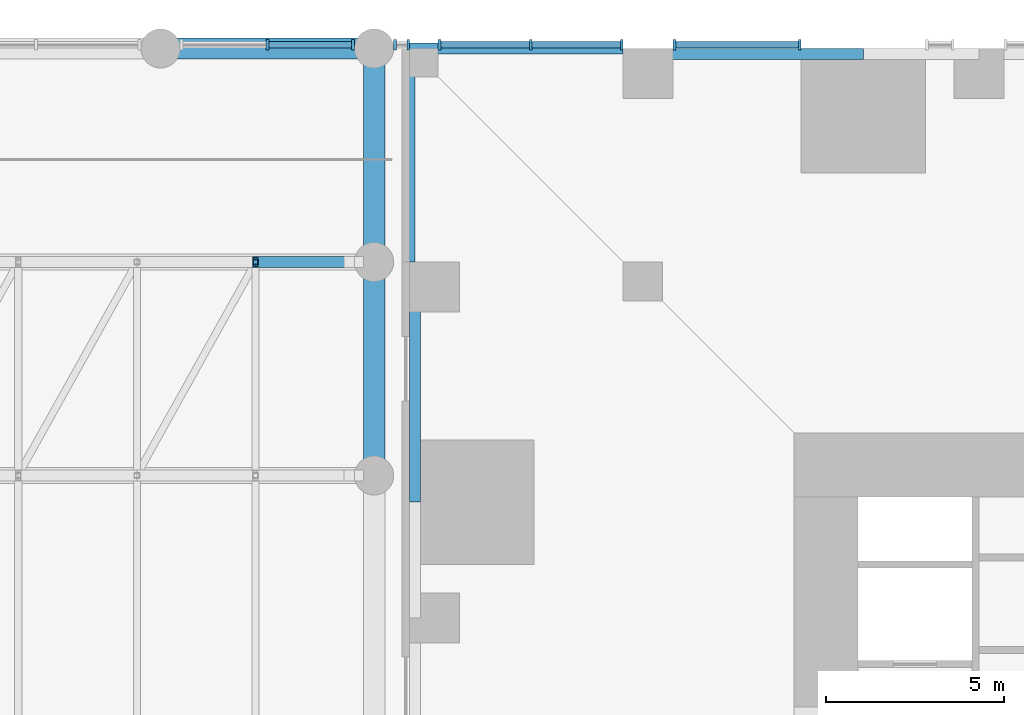
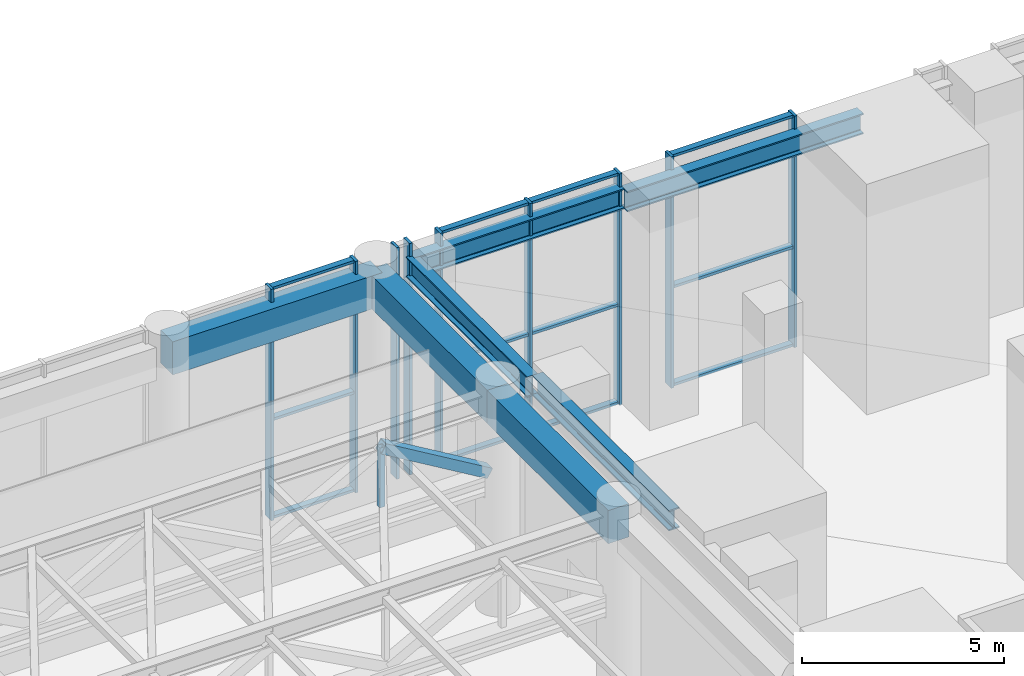
# One storey, part 10 of 30: 23 members, 7 beams, 4 elements without a shape of their own.
"""IFC4 building model written with IfcOpenShell, lengths in metres."""

from ifc_helpers import new_model, si_unit, direction, frame, origin, origin_2d, place, context, subcontext, project, spatial, rectangle, hollow_rectangle, i_section, extrude, material, material_profile, profile_set, type_object, element, aggregate, save


model = new_model("IFC4")

# Units and contexts
model_context = context("Model", 3, precision=1e-05, world=origin(), true_north=direction((0.0, 1.0)))
body_context = subcontext(model_context, "Body", "Model", "MODEL_VIEW")
ifc_project = project(units=[si_unit("LENGTHUNIT", "METRE"), si_unit("AREAUNIT", "SQUARE_METRE"), si_unit("VOLUMEUNIT", "CUBIC_METRE"), si_unit("PLANEANGLEUNIT", "RADIAN"), si_unit("MASSUNIT", "GRAM", prefix="KILO")], contexts=[model_context])

# Site, building, storey
site_placement = place(None, origin())
site = spatial("IfcSite", under=ifc_project, at=site_placement, CompositionType="ELEMENT")
building_placement = place(site_placement, origin())
building = spatial("IfcBuilding", under=site, at=building_placement, Name="Svetlomir Tower", CompositionType="ELEMENT")
storey_placement = place(building_placement, frame((0.0, 0.0, 11.0)))
storey = spatial("IfcBuildingStorey", under=building, at=storey_placement, Name="L02", CompositionType="ELEMENT", Elevation=11.0)

# Members
ifc_material_1 = material(Name="Steel S355", Category="steel")
ifc_material_profile_1 = material_profile(ifc_material_1, hollow_rectangle(XDim=0.300048828125, YDim=0.300048828125, WallThickness=0.02001953125, at=origin_2d()), Name="SHS 300x300x20")
ifc_profile_set_1 = profile_set([ifc_material_profile_1], Name="Steel S355")
member_type_1 = type_object("IfcMemberType", Name="AUDITORIUM TRUSS DIAGONAL SHS 300x300x20", PredefinedType="BRACE", material=ifc_profile_set_1)
member_1_placement = place(storey_placement, frame((-4.333251953125, 36.0, 5.97998046875), z_axis=(0.859300122136, 0.0, -0.511471700193), x_axis=(0.0, 1.0, 0.0)))
element("IfcMember", 1, at=member_1_placement, inside=storey, type_object=member_type_1, Name="Auditorium truss 36 diagonal 6", PredefinedType="BRACE", context=body_context, shape_type="SweptSolid", body=[
    extrude(hollow_rectangle(XDim=0.300048828125, YDim=0.300048828125, WallThickness=0.02001953125, at=origin_2d()), origin(), (0.0, 0.0, 1.0), 3.52978515625),
])
ifc_material_2 = material(Name="Steel S355", Category="steel")
ifc_material_profile_2 = material_profile(ifc_material_2, hollow_rectangle(XDim=0.14990234375, YDim=0.14990234375, WallThickness=0.008056640625, at=origin_2d()), Name="SHS 150x150x8")
ifc_profile_set_2 = profile_set([ifc_material_profile_2], Name="Steel S355")
member_type_2 = type_object("IfcMemberType", Name="AUDITORIUM TRUSS POST SHS 150x150x8", PredefinedType="POST", material=ifc_profile_set_2)
member_2_placement = place(storey_placement, frame((-4.333251953125, 36.0, 4.174560546875), z_axis=(0.0, 0.0, 1.0), x_axis=(1.0, 0.0, 0.0)))
element("IfcMember", 2, at=member_2_placement, inside=storey, type_object=member_type_2, Name="Auditorium truss 36 post 5", PredefinedType="POST", context=body_context, shape_type="SweptSolid", body=[
    extrude(hollow_rectangle(XDim=0.14990234375, YDim=0.14990234375, WallThickness=0.008056640625, at=origin_2d()), origin(), (0.0, 0.0, 1.0), 1.805419921875),
])

# Curtain wall, members
ifc_material_3 = material(Name="Bronze anodised aluminium curtain wall", Category="aluminium")
curtain_wall_type = type_object("IfcCurtainWallType", Name="CURTAIN WALL CW5 PODIUM", PredefinedType="NOTDEFINED", material=ifc_material_3)
curtain_wall_1_placement = place(storey_placement, origin())
curtain_wall_1 = element("IfcCurtainWall", 3, at=curtain_wall_1_placement, inside=storey, type_object=curtain_wall_type, Name="Curtain wall CW5 L02", PredefinedType="NOTDEFINED")
ifc_material_4 = material(Name="Bronze anodised aluminium", Category="aluminium")
ifc_material_profile_3 = material_profile(ifc_material_4, rectangle(XDim=0.080078125, YDim=0.300048828125, at=origin_2d()), Name="AL 80x300")
ifc_profile_set_3 = profile_set([ifc_material_profile_3], Name="Bronze anodised aluminium 6063-T6")
member_type_3 = type_object("IfcMemberType", Name="CW5 MULLION 80x300", PredefinedType="MULLION", material=ifc_profile_set_3)
member_3_placement = place(storey_placement, frame((10.9599609375, 42.10009765625, 0.0), z_axis=(0.0, 0.0, 1.0), x_axis=(-1.0, 0.0, 0.0)))
member_3 = element("IfcMember", 4, at=member_3_placement, type_object=member_type_3, Name="CW5 mullion 1", PredefinedType="MULLION", context=body_context, shape_type="SweptSolid", body=[
    extrude(rectangle(XDim=0.080078125, YDim=0.300048828125, at=origin_2d()), origin(), (0.0, 0.0, 1.0), 7.0),
])
member_4_placement = place(storey_placement, frame((7.43994140625, 42.10009765625, 0.0), z_axis=(0.0, 0.0, 1.0), x_axis=(-1.0, 0.0, 0.0)))
member_4 = element("IfcMember", 5, at=member_4_placement, type_object=member_type_3, Name="CW5 mullion 2", PredefinedType="MULLION", context=body_context, shape_type="SweptSolid", body=[
    extrude(rectangle(XDim=0.080078125, YDim=0.300048828125, at=origin_2d()), origin(), (0.0, 0.0, 1.0), 7.0),
])

curtain_wall_2_placement = place(storey_placement, origin())
curtain_wall_2 = element("IfcCurtainWall", 6, at=curtain_wall_2_placement, inside=storey, type_object=curtain_wall_type, Name="Curtain wall CW5 L02", PredefinedType="NOTDEFINED")
member_5_placement = place(storey_placement, frame((5.9599609375, 42.10009765625, 0.0), z_axis=(0.0, 0.0, 1.0), x_axis=(-1.0, 0.0, 0.0)))
member_5 = element("IfcMember", 7, at=member_5_placement, type_object=member_type_3, Name="CW5 mullion 1", PredefinedType="MULLION", context=body_context, shape_type="SweptSolid", body=[
    extrude(rectangle(XDim=0.080078125, YDim=0.300048828125, at=origin_2d()), origin(), (0.0, 0.0, 1.0), 7.0),
])
member_6_placement = place(storey_placement, frame((3.39990234375, 42.10009765625, 0.0), z_axis=(0.0, 0.0, 1.0), x_axis=(-1.0, 0.0, 0.0)))
member_6 = element("IfcMember", 8, at=member_6_placement, type_object=member_type_3, Name="CW5 mullion 2", PredefinedType="MULLION", context=body_context, shape_type="SweptSolid", body=[
    extrude(rectangle(XDim=0.080078125, YDim=0.300048828125, at=origin_2d()), origin(), (0.0, 0.0, 1.0), 7.0),
])
member_7_placement = place(storey_placement, frame((0.840087890625, 42.10009765625, 0.0), z_axis=(0.0, 0.0, 1.0), x_axis=(-1.0, 0.0, 0.0)))
member_7 = element("IfcMember", 9, at=member_7_placement, type_object=member_type_3, Name="CW5 mullion 3", PredefinedType="MULLION", context=body_context, shape_type="SweptSolid", body=[
    extrude(rectangle(XDim=0.080078125, YDim=0.300048828125, at=origin_2d()), origin(), (0.0, 0.0, 1.0), 7.0),
])

curtain_wall_3_placement = place(storey_placement, origin())
curtain_wall_3 = element("IfcCurtainWall", 10, at=curtain_wall_3_placement, inside=storey, type_object=curtain_wall_type, Name="Curtain wall CW5 L02", PredefinedType="NOTDEFINED")
member_8_placement = place(storey_placement, frame((-0.0400390625, 42.10009765625, 0.0), z_axis=(0.0, 0.0, 1.0), x_axis=(-1.0, 0.0, 0.0)))
member_8 = element("IfcMember", 11, at=member_8_placement, type_object=member_type_3, Name="CW5 mullion 1", PredefinedType="MULLION", context=body_context, shape_type="SweptSolid", body=[
    extrude(rectangle(XDim=0.080078125, YDim=0.300048828125, at=origin_2d()), origin(), (0.0, 0.0, 1.0), 7.0),
])
member_9_placement = place(storey_placement, frame((-0.409912109375, 42.10009765625, 0.0), z_axis=(0.0, 0.0, 1.0), x_axis=(-1.0, 0.0, 0.0)))
member_9 = element("IfcMember", 12, at=member_9_placement, type_object=member_type_3, Name="CW5 mullion 2", PredefinedType="MULLION", context=body_context, shape_type="SweptSolid", body=[
    extrude(rectangle(XDim=0.080078125, YDim=0.300048828125, at=origin_2d()), origin(), (0.0, 0.0, 1.0), 7.0),
])
aggregate(curtain_wall_3, [member_8, member_9])

curtain_wall_4_placement = place(storey_placement, origin())
curtain_wall_4 = element("IfcCurtainWall", 13, at=curtain_wall_4_placement, inside=storey, type_object=curtain_wall_type, Name="Curtain wall CW5 L02", PredefinedType="NOTDEFINED")
member_10_placement = place(storey_placement, frame((-1.590087890625, 42.10009765625, 0.0), z_axis=(0.0, 0.0, 1.0), x_axis=(-1.0, 0.0, 0.0)))
member_10 = element("IfcMember", 14, at=member_10_placement, type_object=member_type_3, Name="CW5 mullion 1", PredefinedType="MULLION", context=body_context, shape_type="SweptSolid", body=[
    extrude(rectangle(XDim=0.080078125, YDim=0.300048828125, at=origin_2d()), origin(), (0.0, 0.0, 1.0), 7.0),
])
member_11_placement = place(storey_placement, frame((-4.0, 42.10009765625, 0.0), z_axis=(0.0, 0.0, 1.0), x_axis=(-1.0, 0.0, 0.0)))
member_11 = element("IfcMember", 15, at=member_11_placement, type_object=member_type_3, Name="CW5 mullion 2", PredefinedType="MULLION", context=body_context, shape_type="SweptSolid", body=[
    extrude(rectangle(XDim=0.080078125, YDim=0.300048828125, at=origin_2d()), origin(), (0.0, 0.0, 1.0), 7.0),
])

# Member
ifc_material_5 = material(Name="Bronze anodised aluminium", Category="aluminium")
ifc_material_profile_4 = material_profile(ifc_material_5, rectangle(XDim=0.179931640625, YDim=0.080078125, at=origin_2d()), Name="AL 180x80")
ifc_profile_set_4 = profile_set([ifc_material_profile_4], Name="Bronze anodised aluminium 6063-T6")
member_type_4 = type_object("IfcMemberType", Name="CW5 TRANSOM 80x180", PredefinedType="USERDEFINED", material=ifc_profile_set_4)
member_12_placement = place(storey_placement, frame((10.919921875, 42.10009765625, 0.0400390625), z_axis=(-1.0, 0.0, 0.0), x_axis=(0.0, -1.0, 0.0)))
member_12 = element("IfcMember", 16, at=member_12_placement, type_object=member_type_4, Name="CW5 transom 1.1", ObjectType="TRANSOM", PredefinedType="USERDEFINED", context=body_context, shape_type="SweptSolid", body=[
    extrude(rectangle(XDim=0.179931640625, YDim=0.080078125, at=origin_2d()), origin(), (0.0, 0.0, 1.0), 3.43994140625),
])

member_13_placement = place(storey_placement, frame((10.919921875, 42.10009765625, 3.0), z_axis=(-1.0, 0.0, 0.0), x_axis=(0.0, -1.0, 0.0)))
member_13 = element("IfcMember", 17, at=member_13_placement, type_object=member_type_4, Name="CW5 transom 1.2", ObjectType="TRANSOM", PredefinedType="USERDEFINED", context=body_context, shape_type="SweptSolid", body=[
    extrude(rectangle(XDim=0.179931640625, YDim=0.080078125, at=origin_2d()), origin(), (0.0, 0.0, 1.0), 3.43994140625),
])

member_14_placement = place(storey_placement, frame((10.919921875, 42.10009765625, 6.9599609375), z_axis=(-1.0, 0.0, 0.0), x_axis=(0.0, -1.0, 0.0)))
member_14 = element("IfcMember", 18, at=member_14_placement, type_object=member_type_4, Name="CW5 transom 1.3", ObjectType="TRANSOM", PredefinedType="USERDEFINED", context=body_context, shape_type="SweptSolid", body=[
    extrude(rectangle(XDim=0.179931640625, YDim=0.080078125, at=origin_2d()), origin(), (0.0, 0.0, 1.0), 3.43994140625),
])

aggregate(curtain_wall_1, [member_3, member_4, member_12, member_13, member_14])

member_15_placement = place(storey_placement, frame((5.919921875, 42.10009765625, 0.0400390625), z_axis=(-1.0, 0.0, 0.0), x_axis=(0.0, -1.0, 0.0)))
member_15 = element("IfcMember", 19, at=member_15_placement, type_object=member_type_4, Name="CW5 transom 1.1", ObjectType="TRANSOM", PredefinedType="USERDEFINED", context=body_context, shape_type="SweptSolid", body=[
    extrude(rectangle(XDim=0.179931640625, YDim=0.080078125, at=origin_2d()), origin(), (0.0, 0.0, 1.0), 2.47998046875),
])

member_16_placement = place(storey_placement, frame((5.919921875, 42.10009765625, 3.0), z_axis=(-1.0, 0.0, 0.0), x_axis=(0.0, -1.0, 0.0)))
member_16 = element("IfcMember", 20, at=member_16_placement, type_object=member_type_4, Name="CW5 transom 1.2", ObjectType="TRANSOM", PredefinedType="USERDEFINED", context=body_context, shape_type="SweptSolid", body=[
    extrude(rectangle(XDim=0.179931640625, YDim=0.080078125, at=origin_2d()), origin(), (0.0, 0.0, 1.0), 2.47998046875),
])

member_17_placement = place(storey_placement, frame((5.919921875, 42.10009765625, 6.9599609375), z_axis=(-1.0, 0.0, 0.0), x_axis=(0.0, -1.0, 0.0)))
member_17 = element("IfcMember", 21, at=member_17_placement, type_object=member_type_4, Name="CW5 transom 1.3", ObjectType="TRANSOM", PredefinedType="USERDEFINED", context=body_context, shape_type="SweptSolid", body=[
    extrude(rectangle(XDim=0.179931640625, YDim=0.080078125, at=origin_2d()), origin(), (0.0, 0.0, 1.0), 2.47998046875),
])

member_18_placement = place(storey_placement, frame((3.360107421875, 42.10009765625, 0.0400390625), z_axis=(-1.0, 0.0, 0.0), x_axis=(0.0, -1.0, 0.0)))
member_18 = element("IfcMember", 22, at=member_18_placement, type_object=member_type_4, Name="CW5 transom 2.1", ObjectType="TRANSOM", PredefinedType="USERDEFINED", context=body_context, shape_type="SweptSolid", body=[
    extrude(rectangle(XDim=0.179931640625, YDim=0.080078125, at=origin_2d()), origin(), (0.0, 0.0, 1.0), 2.480224609375),
])

member_19_placement = place(storey_placement, frame((3.360107421875, 42.10009765625, 3.0), z_axis=(-1.0, 0.0, 0.0), x_axis=(0.0, -1.0, 0.0)))
member_19 = element("IfcMember", 23, at=member_19_placement, type_object=member_type_4, Name="CW5 transom 2.2", ObjectType="TRANSOM", PredefinedType="USERDEFINED", context=body_context, shape_type="SweptSolid", body=[
    extrude(rectangle(XDim=0.179931640625, YDim=0.080078125, at=origin_2d()), origin(), (0.0, 0.0, 1.0), 2.480224609375),
])

member_20_placement = place(storey_placement, frame((3.360107421875, 42.10009765625, 6.9599609375), z_axis=(-1.0, 0.0, 0.0), x_axis=(0.0, -1.0, 0.0)))
member_20 = element("IfcMember", 24, at=member_20_placement, type_object=member_type_4, Name="CW5 transom 2.3", ObjectType="TRANSOM", PredefinedType="USERDEFINED", context=body_context, shape_type="SweptSolid", body=[
    extrude(rectangle(XDim=0.179931640625, YDim=0.080078125, at=origin_2d()), origin(), (0.0, 0.0, 1.0), 2.480224609375),
])

aggregate(curtain_wall_2, [member_5, member_6, member_7, member_15, member_16, member_17, member_18, member_19, member_20])

member_21_placement = place(storey_placement, frame((-1.6298828125, 42.10009765625, 0.0400390625), z_axis=(-1.0, 0.0, 0.0), x_axis=(0.0, -1.0, 0.0)))
member_21 = element("IfcMember", 25, at=member_21_placement, type_object=member_type_4, Name="CW5 transom 1.1", ObjectType="TRANSOM", PredefinedType="USERDEFINED", context=body_context, shape_type="SweptSolid", body=[
    extrude(rectangle(XDim=0.179931640625, YDim=0.080078125, at=origin_2d()), origin(), (0.0, 0.0, 1.0), 2.330078125),
])

member_22_placement = place(storey_placement, frame((-1.6298828125, 42.10009765625, 3.0), z_axis=(-1.0, 0.0, 0.0), x_axis=(0.0, -1.0, 0.0)))
member_22 = element("IfcMember", 26, at=member_22_placement, type_object=member_type_4, Name="CW5 transom 1.2", ObjectType="TRANSOM", PredefinedType="USERDEFINED", context=body_context, shape_type="SweptSolid", body=[
    extrude(rectangle(XDim=0.179931640625, YDim=0.080078125, at=origin_2d()), origin(), (0.0, 0.0, 1.0), 2.330078125),
])

member_23_placement = place(storey_placement, frame((-1.6298828125, 42.10009765625, 6.9599609375), z_axis=(-1.0, 0.0, 0.0), x_axis=(0.0, -1.0, 0.0)))
member_23 = element("IfcMember", 27, at=member_23_placement, type_object=member_type_4, Name="CW5 transom 1.3", ObjectType="TRANSOM", PredefinedType="USERDEFINED", context=body_context, shape_type="SweptSolid", body=[
    extrude(rectangle(XDim=0.179931640625, YDim=0.080078125, at=origin_2d()), origin(), (0.0, 0.0, 1.0), 2.330078125),
])

aggregate(curtain_wall_4, [member_10, member_11, member_21, member_22, member_23])

# Beams
ifc_material_6 = material(Name="Concrete C60/75", Category="concrete")
ifc_material_profile_5 = material_profile(ifc_material_6, rectangle(XDim=0.60009765625, YDim=1.0, at=origin_2d()), Name="RC 600x1000")
ifc_profile_set_5 = profile_set([ifc_material_profile_5], Name="Concrete C60/75")
beam_type_1 = type_object("IfcBeamType", Name="PODIUM BEAM RC 600x1000", PredefinedType="BEAM", material=ifc_profile_set_5)
for number, where, z_axis, x_axis, name in (
    (28, (-7.0, 42.0, 6.10009765625), (1.0, 0.0, 0.0), (0.0, 1.0, 0.0), "Podium beam -7/42 to -1/42 under L03"),
    (29, (-1.0, 30.0, 6.10009765625), (0.0, 1.0, 0.0), (-1.0, 0.0, 0.0), "Podium beam -1/30 to -1/36 under L03"),
    (30, (-1.0, 36.0, 6.10009765625), (0.0, 1.0, 0.0), (-1.0, 0.0, 0.0), "Podium beam -1/36 to -1/42 under L03"),
):
    element("IfcBeam", number, at=place(storey_placement, frame(where, z_axis=z_axis, x_axis=x_axis)), inside=storey, type_object=beam_type_1, Name=name, PredefinedType="BEAM", context=body_context, shape_type="SweptSolid", body=[
        extrude(rectangle(XDim=0.60009765625, YDim=1.0, at=origin_2d()), origin(), (0.0, 0.0, 1.0), 6.0),
    ])
ifc_material_7 = material(Name="Steel S355", Category="steel")
ifc_material_profile_6 = material_profile(ifc_material_7, i_section(OverallWidth=0.304931640625, OverallDepth=0.6201171875, WebThickness=0.02099609375, FlangeThickness=0.0400390625, FilletRadius=0.027099609375, at=origin_2d()), Name="HEM 600")
ifc_profile_set_6 = profile_set([ifc_material_profile_6], Name="Steel S355")
beam_type_2 = type_object("IfcBeamType", Name="PODIUM EDGE BEAM HEM 600", PredefinedType="BEAM", material=ifc_profile_set_6)
beam_1_placement = place(storey_placement, frame((0.152587890625, 29.25, 6.2900390625), z_axis=(0.0, 1.0, 0.0), x_axis=(-1.0, 0.0, 0.0)))
element("IfcBeam", 31, at=beam_1_placement, inside=storey, type_object=beam_type_2, Name="Podium beam 0/31 to 0/36 under L03", PredefinedType="BEAM", context=body_context, shape_type="SweptSolid", body=[
    extrude(i_section(OverallWidth=0.304931640625, OverallDepth=0.6201171875, WebThickness=0.02099609375, FlangeThickness=0.0400390625, FilletRadius=0.027099609375, at=origin_2d()), origin(), (0.0, 0.0, 1.0), 6.75),
])
for number, where, z_axis, x_axis, name in (
    (32, (0.0, 36.0, 6.2900390625), (0.0, 1.0, 0.0), (-1.0, 0.0, 0.0), "Podium beam 0/36 to 0/42 under L03"),
    (33, (0.0, 42.0, 6.2900390625), (1.0, 0.0, 0.0), (0.0, 1.0, 0.0), "Podium beam 0/42 to 6/42 under L03"),
):
    element("IfcBeam", number, at=place(storey_placement, frame(where, z_axis=z_axis, x_axis=x_axis)), inside=storey, type_object=beam_type_2, Name=name, PredefinedType="BEAM", context=body_context, shape_type="SweptSolid", body=[
        extrude(i_section(OverallWidth=0.304931640625, OverallDepth=0.6201171875, WebThickness=0.02099609375, FlangeThickness=0.0400390625, FilletRadius=0.027099609375, at=origin_2d()), origin(), (0.0, 0.0, 1.0), 6.0),
    ])
beam_2_placement = place(storey_placement, frame((6.0, 41.847412109375, 6.2900390625), z_axis=(1.0, 0.0, 0.0), x_axis=(0.0, 1.0, 0.0)))
element("IfcBeam", 34, at=beam_2_placement, inside=storey, type_object=beam_type_2, Name="Podium beam 6/42 to 11/42 under L03", PredefinedType="BEAM", context=body_context, shape_type="SweptSolid", body=[
    extrude(i_section(OverallWidth=0.304931640625, OverallDepth=0.6201171875, WebThickness=0.02099609375, FlangeThickness=0.0400390625, FilletRadius=0.027099609375, at=origin_2d()), origin(), (0.0, 0.0, 1.0), 6.75),
])

save(model, "model.ifc")
